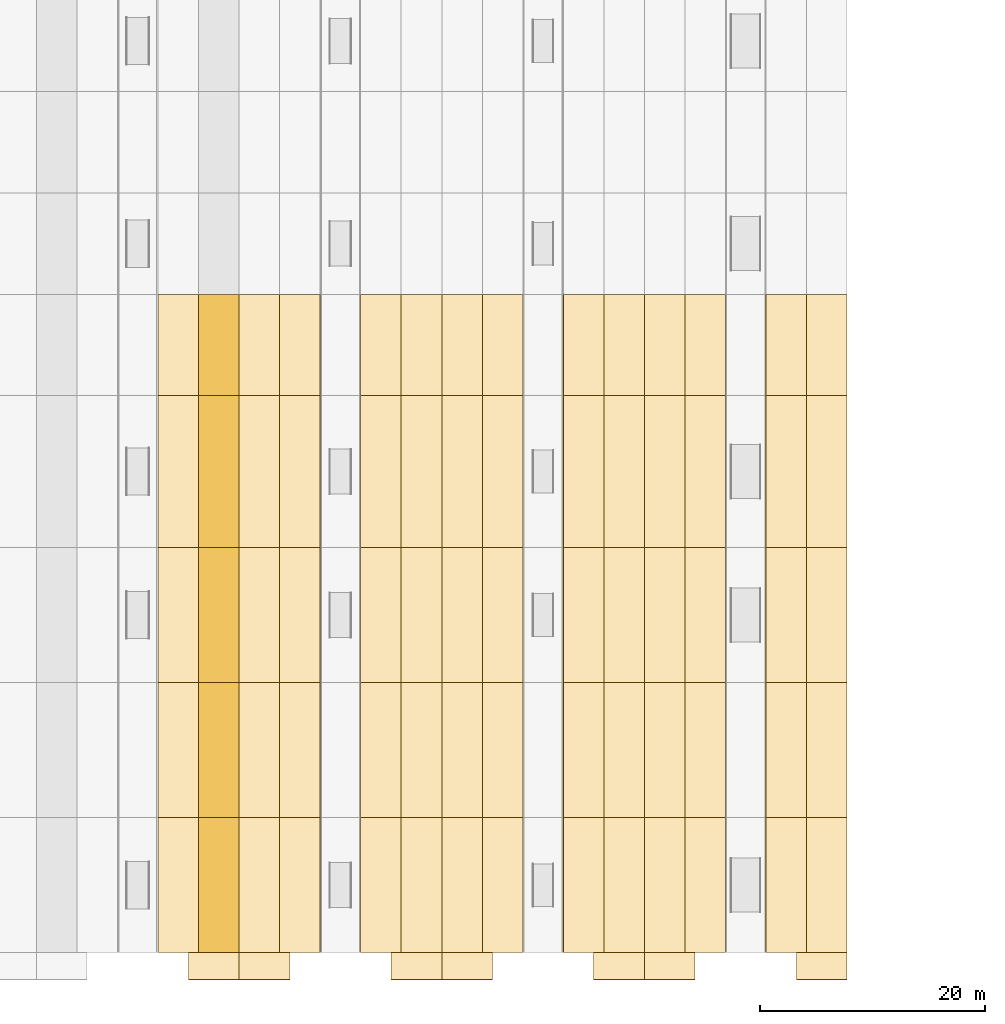
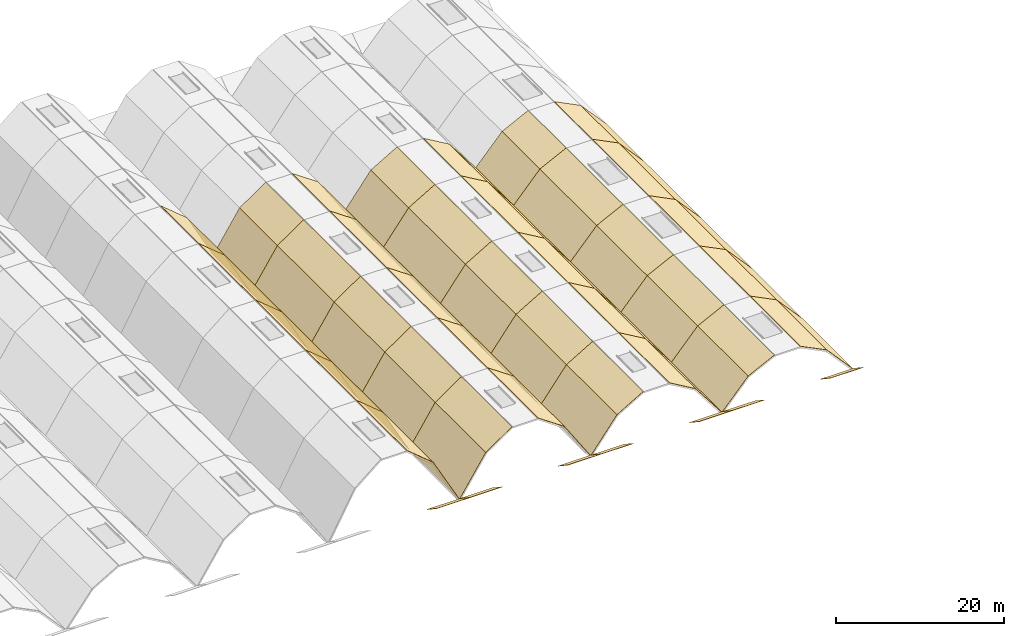
# One storey, part 9 of 11: 77 coverings.
"""IFC4 building model written with IfcOpenShell, lengths in metres."""

from ifc_helpers import new_model, si_unit, direction, frame, origin, place, context, subcontext, project, spatial, polyline, outline, extrude, material, layer, layer_set, type_object, element, save


model = new_model("IFC4")

# Units and contexts
model_context = context("Model", 3, precision=1e-05, world=origin(), true_north=direction((0.0, 1.0)))
body_context = subcontext(model_context, "Body", "Model", "MODEL_VIEW")
ifc_project = project(units=[si_unit("LENGTHUNIT", "METRE"), si_unit("AREAUNIT", "SQUARE_METRE"), si_unit("VOLUMEUNIT", "CUBIC_METRE"), si_unit("PLANEANGLEUNIT", "RADIAN"), si_unit("MASSUNIT", "GRAM", prefix="KILO")], contexts=[model_context])

# Site, building, storey
site_placement = place(None, origin())
site = spatial("IfcSite", under=ifc_project, at=site_placement, CompositionType="ELEMENT")
building_placement = place(site_placement, origin())
building = spatial("IfcBuilding", under=site, at=building_placement, Name="Chuanluo Vaults Station", CompositionType="ELEMENT")
storey_placement = place(building_placement, frame((0.0, 0.0, 24.0)))
storey = spatial("IfcBuildingStorey", under=building, at=storey_placement, Name="RF", CompositionType="ELEMENT", Elevation=24.0)

# Coverings
ifc_material_1 = material(Name="Perforated anodised aluminium panel", Category="aluminium")
ifc_layer_1 = layer(ifc_material_1, 0.050048828125)
ifc_layer_set_1 = layer_set([ifc_layer_1], Name="Perforated anodised aluminium panel")
covering_type_1 = type_object("IfcCoveringType", Name="COV-CLAD-PERF", PredefinedType="CLADDING", material=ifc_layer_set_1)
for number, where, z_axis, x_axis, name in (
    (1, (67.5, 18.0, -9.699951171875), (0.0, 0.554680662541, 0.832063316463), (1.0, 0.0, 0.0), "Vault V4 upturned eave cusp soffit S-E"),
    (2, (72.0, 18.0, -9.699951171875), (0.0, 0.554680662541, 0.832063316463), (1.0, 0.0, 0.0), "Vault V5 upturned eave cusp soffit S-W"),
    (3, (85.5, 18.0, -9.699951171875), (0.0, 0.554680662541, 0.832063316463), (1.0, 0.0, 0.0), "Vault V5 upturned eave cusp soffit S-E"),
    (4, (90.0, 18.0, -9.699951171875), (0.0, 0.554680662541, 0.832063316463), (1.0, 0.0, 0.0), "Vault V6 upturned eave cusp soffit S-W"),
    (5, (103.5, 18.0, -9.699951171875), (0.0, 0.554680662541, 0.832063316463), (1.0, 0.0, 0.0), "Vault V6 upturned eave cusp soffit S-E"),
    (6, (108.0, 18.0, -9.699951171875), (0.0, 0.554680662541, 0.832063316463), (1.0, 0.0, 0.0), "Vault V7 upturned eave cusp soffit S-W"),
    (7, (121.5, 18.0, -9.699951171875), (0.0, 0.554680662541, 0.832063316463), (1.0, 0.0, 0.0), "Vault V7 upturned eave cusp soffit S-E"),
):
    element("IfcCovering", number, at=place(storey_placement, frame(where, z_axis=z_axis, x_axis=x_axis)), inside=storey, type_object=covering_type_1, Name=name, PredefinedType="CLADDING", context=body_context, shape_type="SweptSolid", body=[
        extrude(outline(polyline([(0.0, 0.0), (4.5, 0.0), (4.5, -2.8842785113429), (0.0, -2.8842785113429), (0.0, 0.0)])), origin(), (0.0, 0.0, -1.0), 0.050048828125),
    ])
ifc_material_2 = material(Name="TPO waterproof roofing membrane")
ifc_layer_2 = layer(ifc_material_2, 0.044921875)
ifc_layer_set_2 = layer_set([ifc_layer_2], Name="TPO waterproof roofing membrane")
covering_type_2 = type_object("IfcCoveringType", Name="COV-ROOF-TPO", PredefinedType="ROOFING", material=ifc_layer_set_2)
covering_1_placement = place(storey_placement, frame((64.800048828125, 18.0, -0.205078125), z_axis=(0.637140772977, 0.0, 0.770747452419), x_axis=(0.770747452419, 0.0, -0.637140772977)))
element("IfcCovering", 8, at=covering_1_placement, inside=storey, type_object=covering_type_2, Name="Vault V4 TPO roof membrane 1-R2", PredefinedType="ROOFING", context=body_context, shape_type="SweptSolid", body=[
    extrude(outline(polyline([(0.0, 0.0), (4.670600602474067, 0.0), (4.670600602474067, 12.0), (0.0, 12.0), (0.0, 0.0)])), origin(), (0.0, 0.0, -1.0), 0.044921875),
])
covering_2_placement = place(storey_placement, frame((68.39990234375, 18.0, -3.180908203125), z_axis=(0.878619783786, 0.0, 0.477522015764), x_axis=(0.477522015764, 0.0, -0.878619783786)))
element("IfcCovering", 9, at=covering_2_placement, inside=storey, type_object=covering_type_2, Name="Vault V4 TPO roof membrane 1-R1", PredefinedType="ROOFING", context=body_context, shape_type="SweptSolid", body=[
    extrude(outline(polyline([(0.0, 0.0), (7.539123930211392, 0.0), (7.539123930211392, 12.000000000000004), (0.0, 12.000000000000004), (0.0, 0.0)])), origin(), (0.0, 0.0, -1.0), 0.044921875),
])
covering_3_placement = place(storey_placement, frame((64.800048828125, 30.0, -0.205078125), z_axis=(0.637140772977, 0.0, 0.770747452419), x_axis=(0.770747452419, 0.0, -0.637140772977)))
element("IfcCovering", 10, at=covering_3_placement, inside=storey, type_object=covering_type_2, Name="Vault V4 TPO roof membrane 2-R2", PredefinedType="ROOFING", context=body_context, shape_type="SweptSolid", body=[
    extrude(outline(polyline([(0.0, 0.0), (4.670600602474067, 0.0), (4.670600602474067, 12.0), (0.0, 12.0), (0.0, 0.0)])), origin(), (0.0, 0.0, -1.0), 0.044921875),
])
covering_4_placement = place(storey_placement, frame((68.39990234375, 30.0, -3.180908203125), z_axis=(0.878619783786, 0.0, 0.477522015764), x_axis=(0.477522015764, 0.0, -0.878619783786)))
element("IfcCovering", 11, at=covering_4_placement, inside=storey, type_object=covering_type_2, Name="Vault V4 TPO roof membrane 2-R1", PredefinedType="ROOFING", context=body_context, shape_type="SweptSolid", body=[
    extrude(outline(polyline([(0.0, 0.0), (7.539123930211392, 0.0), (7.539123930211392, 12.000000000000004), (0.0, 12.000000000000004), (0.0, 0.0)])), origin(), (0.0, 0.0, -1.0), 0.044921875),
])
covering_5_placement = place(storey_placement, frame((64.800048828125, 42.0, -0.205078125), z_axis=(0.637140772977, 0.0, 0.770747452419), x_axis=(0.770747452419, 0.0, -0.637140772977)))
element("IfcCovering", 12, at=covering_5_placement, inside=storey, type_object=covering_type_2, Name="Vault V4 TPO roof membrane 3-R2", PredefinedType="ROOFING", context=body_context, shape_type="SweptSolid", body=[
    extrude(outline(polyline([(0.0, 0.0), (4.670600602474067, 0.0), (4.670600602474067, 12.0), (0.0, 12.0), (0.0, 0.0)])), origin(), (0.0, 0.0, -1.0), 0.044921875),
])
covering_6_placement = place(storey_placement, frame((68.39990234375, 42.0, -3.180908203125), z_axis=(0.878619783786, 0.0, 0.477522015764), x_axis=(0.477522015764, 0.0, -0.878619783786)))
element("IfcCovering", 13, at=covering_6_placement, inside=storey, type_object=covering_type_2, Name="Vault V4 TPO roof membrane 3-R1", PredefinedType="ROOFING", context=body_context, shape_type="SweptSolid", body=[
    extrude(outline(polyline([(0.0, 0.0), (7.539123930211392, 0.0), (7.539123930211392, 12.000000000000004), (0.0, 12.000000000000004), (0.0, 0.0)])), origin(), (0.0, 0.0, -1.0), 0.044921875),
])
covering_7_placement = place(storey_placement, frame((64.800048828125, 54.0, -0.205078125), z_axis=(0.637140772977, 0.0, 0.770747452419), x_axis=(0.770747452419, 0.0, -0.637140772977)))
element("IfcCovering", 14, at=covering_7_placement, inside=storey, type_object=covering_type_2, Name="Vault V4 TPO roof membrane 4-R2", PredefinedType="ROOFING", context=body_context, shape_type="SweptSolid", body=[
    extrude(outline(polyline([(0.0, 0.0), (4.670600602474067, 0.0), (4.670600602474067, 13.5), (0.0, 13.5), (0.0, 0.0)])), origin(), (0.0, 0.0, -1.0), 0.044921875),
])
covering_8_placement = place(storey_placement, frame((68.39990234375, 54.0, -3.180908203125), z_axis=(0.878619783786, 0.0, 0.477522015764), x_axis=(0.477522015764, 0.0, -0.878619783786)))
element("IfcCovering", 15, at=covering_8_placement, inside=storey, type_object=covering_type_2, Name="Vault V4 TPO roof membrane 4-R1", PredefinedType="ROOFING", context=body_context, shape_type="SweptSolid", body=[
    extrude(outline(polyline([(0.0, 0.0), (7.539123930211392, 0.0), (7.539123930211392, 13.5), (0.0, 13.5), (0.0, 0.0)])), origin(), (0.0, 0.0, -1.0), 0.044921875),
])
covering_9_placement = place(storey_placement, frame((64.800048828125, 67.5, -0.205078125), z_axis=(0.637140772977, 0.0, 0.770747452419), x_axis=(0.770747452419, 0.0, -0.637140772977)))
element("IfcCovering", 16, at=covering_9_placement, inside=storey, type_object=covering_type_2, Name="Vault V4 TPO roof membrane 5-R2", PredefinedType="ROOFING", context=body_context, shape_type="SweptSolid", body=[
    extrude(outline(polyline([(0.0, 0.0), (4.670600602474067, 0.0), (4.670600602474067, 9.0), (0.0, 9.0), (0.0, 0.0)])), origin(), (0.0, 0.0, -1.0), 0.044921875),
])
covering_10_placement = place(storey_placement, frame((68.39990234375, 67.5, -3.180908203125), z_axis=(0.878619783786, 0.0, 0.477522015764), x_axis=(0.477522015764, 0.0, -0.878619783786)))
element("IfcCovering", 17, at=covering_10_placement, inside=storey, type_object=covering_type_2, Name="Vault V4 TPO roof membrane 5-R1", PredefinedType="ROOFING", context=body_context, shape_type="SweptSolid", body=[
    extrude(outline(polyline([(0.0, 0.0), (7.539123930211392, 0.0), (7.539123930211392, 9.0), (0.0, 9.0), (0.0, 0.0)])), origin(), (0.0, 0.0, -1.0), 0.044921875),
])
covering_11_placement = place(storey_placement, frame((72.0, 18.0, -9.804931640625), z_axis=(-0.837604700912, 0.0, 0.54627682086), x_axis=(0.54627682086, 0.0, 0.837604700912)))
element("IfcCovering", 18, at=covering_11_placement, inside=storey, type_object=covering_type_2, Name="Vault V5 TPO roof membrane 1-L1", PredefinedType="ROOFING", context=body_context, shape_type="SweptSolid", body=[
    extrude(outline(polyline([(0.0, 0.0), (6.590244210946831, 0.0), (6.590244210946831, 12.0), (0.0, 12.0), (0.0, 0.0)])), origin(), (0.0, 0.0, -1.0), 0.044921875),
])
for number, where, z_axis, x_axis, name in (
    (19, (75.60009765625, 18.0, -4.284912109375), (-0.567317861209, 0.0, 0.823498903675), (0.823498903675, 0.0, 0.567317861209), "Vault V5 TPO roof membrane 1-L2"),
    (20, (82.800048828125, 18.0, -1.804931640625), (0.567317861209, 0.0, 0.823498903675), (0.823498903675, 0.0, -0.567317861209), "Vault V5 TPO roof membrane 1-R2"),
):
    element("IfcCovering", number, at=place(storey_placement, frame(where, z_axis=z_axis, x_axis=x_axis)), inside=storey, type_object=covering_type_2, Name=name, PredefinedType="ROOFING", context=body_context, shape_type="SweptSolid", body=[
        extrude(outline(polyline([(0.0, 0.0), (4.371412638877636, 0.0), (4.371412638877636, 12.0), (0.0, 12.0), (0.0, 0.0)])), origin(), (0.0, 0.0, -1.0), 0.044921875),
    ])
for number, where, z_axis, x_axis, name in (
    (21, (86.39990234375, 18.0, -4.284912109375), (0.837604700912, 0.0, 0.54627682086), (0.54627682086, 0.0, -0.837604700912), "Vault V5 TPO roof membrane 1-R1"),
    (22, (72.0, 30.0, -9.804931640625), (-0.837604700912, 0.0, 0.54627682086), (0.54627682086, 0.0, 0.837604700912), "Vault V5 TPO roof membrane 2-L1"),
):
    element("IfcCovering", number, at=place(storey_placement, frame(where, z_axis=z_axis, x_axis=x_axis)), inside=storey, type_object=covering_type_2, Name=name, PredefinedType="ROOFING", context=body_context, shape_type="SweptSolid", body=[
        extrude(outline(polyline([(0.0, 0.0), (6.590244210946831, 0.0), (6.590244210946831, 12.0), (0.0, 12.0), (0.0, 0.0)])), origin(), (0.0, 0.0, -1.0), 0.044921875),
    ])
for number, where, z_axis, x_axis, name in (
    (23, (75.60009765625, 30.0, -4.284912109375), (-0.567317861209, 0.0, 0.823498903675), (0.823498903675, 0.0, 0.567317861209), "Vault V5 TPO roof membrane 2-L2"),
    (24, (82.800048828125, 30.0, -1.804931640625), (0.567317861209, 0.0, 0.823498903675), (0.823498903675, 0.0, -0.567317861209), "Vault V5 TPO roof membrane 2-R2"),
):
    element("IfcCovering", number, at=place(storey_placement, frame(where, z_axis=z_axis, x_axis=x_axis)), inside=storey, type_object=covering_type_2, Name=name, PredefinedType="ROOFING", context=body_context, shape_type="SweptSolid", body=[
        extrude(outline(polyline([(0.0, 0.0), (4.371412638877636, 0.0), (4.371412638877636, 12.0), (0.0, 12.0), (0.0, 0.0)])), origin(), (0.0, 0.0, -1.0), 0.044921875),
    ])
for number, where, z_axis, x_axis, name in (
    (25, (86.39990234375, 30.0, -4.284912109375), (0.837604700912, 0.0, 0.54627682086), (0.54627682086, 0.0, -0.837604700912), "Vault V5 TPO roof membrane 2-R1"),
    (26, (72.0, 42.0, -9.804931640625), (-0.837604700912, 0.0, 0.54627682086), (0.54627682086, 0.0, 0.837604700912), "Vault V5 TPO roof membrane 3-L1"),
):
    element("IfcCovering", number, at=place(storey_placement, frame(where, z_axis=z_axis, x_axis=x_axis)), inside=storey, type_object=covering_type_2, Name=name, PredefinedType="ROOFING", context=body_context, shape_type="SweptSolid", body=[
        extrude(outline(polyline([(0.0, 0.0), (6.590244210946831, 0.0), (6.590244210946831, 12.0), (0.0, 12.0), (0.0, 0.0)])), origin(), (0.0, 0.0, -1.0), 0.044921875),
    ])
for number, where, z_axis, x_axis, name in (
    (27, (75.60009765625, 42.0, -4.284912109375), (-0.567317861209, 0.0, 0.823498903675), (0.823498903675, 0.0, 0.567317861209), "Vault V5 TPO roof membrane 3-L2"),
    (28, (82.800048828125, 42.0, -1.804931640625), (0.567317861209, 0.0, 0.823498903675), (0.823498903675, 0.0, -0.567317861209), "Vault V5 TPO roof membrane 3-R2"),
):
    element("IfcCovering", number, at=place(storey_placement, frame(where, z_axis=z_axis, x_axis=x_axis)), inside=storey, type_object=covering_type_2, Name=name, PredefinedType="ROOFING", context=body_context, shape_type="SweptSolid", body=[
        extrude(outline(polyline([(0.0, 0.0), (4.371412638877636, 0.0), (4.371412638877636, 12.0), (0.0, 12.0), (0.0, 0.0)])), origin(), (0.0, 0.0, -1.0), 0.044921875),
    ])
covering_12_placement = place(storey_placement, frame((86.39990234375, 42.0, -4.284912109375), z_axis=(0.837604700912, 0.0, 0.54627682086), x_axis=(0.54627682086, 0.0, -0.837604700912)))
element("IfcCovering", 29, at=covering_12_placement, inside=storey, type_object=covering_type_2, Name="Vault V5 TPO roof membrane 3-R1", PredefinedType="ROOFING", context=body_context, shape_type="SweptSolid", body=[
    extrude(outline(polyline([(0.0, 0.0), (6.590244210946831, 0.0), (6.590244210946831, 12.0), (0.0, 12.0), (0.0, 0.0)])), origin(), (0.0, 0.0, -1.0), 0.044921875),
])
covering_13_placement = place(storey_placement, frame((72.0, 54.0, -9.804931640625), z_axis=(-0.837604700912, 0.0, 0.54627682086), x_axis=(0.54627682086, 0.0, 0.837604700912)))
element("IfcCovering", 30, at=covering_13_placement, inside=storey, type_object=covering_type_2, Name="Vault V5 TPO roof membrane 4-L1", PredefinedType="ROOFING", context=body_context, shape_type="SweptSolid", body=[
    extrude(outline(polyline([(0.0, 0.0), (6.590244210946831, 0.0), (6.590244210946831, 13.5), (0.0, 13.5), (0.0, 0.0)])), origin(), (0.0, 0.0, -1.0), 0.044921875),
])
for number, where, z_axis, x_axis, name in (
    (31, (75.60009765625, 54.0, -4.284912109375), (-0.567317861209, 0.0, 0.823498903675), (0.823498903675, 0.0, 0.567317861209), "Vault V5 TPO roof membrane 4-L2"),
    (32, (82.800048828125, 54.0, -1.804931640625), (0.567317861209, 0.0, 0.823498903675), (0.823498903675, 0.0, -0.567317861209), "Vault V5 TPO roof membrane 4-R2"),
):
    element("IfcCovering", number, at=place(storey_placement, frame(where, z_axis=z_axis, x_axis=x_axis)), inside=storey, type_object=covering_type_2, Name=name, PredefinedType="ROOFING", context=body_context, shape_type="SweptSolid", body=[
        extrude(outline(polyline([(0.0, 0.0), (4.371412638877636, 0.0), (4.371412638877636, 13.5), (0.0, 13.5), (0.0, 0.0)])), origin(), (0.0, 0.0, -1.0), 0.044921875),
    ])
covering_14_placement = place(storey_placement, frame((86.39990234375, 54.0, -4.284912109375), z_axis=(0.837604700912, 0.0, 0.54627682086), x_axis=(0.54627682086, 0.0, -0.837604700912)))
element("IfcCovering", 33, at=covering_14_placement, inside=storey, type_object=covering_type_2, Name="Vault V5 TPO roof membrane 4-R1", PredefinedType="ROOFING", context=body_context, shape_type="SweptSolid", body=[
    extrude(outline(polyline([(0.0, 0.0), (6.590244210946831, 0.0), (6.590244210946831, 13.5), (0.0, 13.5), (0.0, 0.0)])), origin(), (0.0, 0.0, -1.0), 0.044921875),
])
covering_15_placement = place(storey_placement, frame((72.0, 67.5, -9.804931640625), z_axis=(-0.837604700912, 0.0, 0.54627682086), x_axis=(0.54627682086, 0.0, 0.837604700912)))
element("IfcCovering", 34, at=covering_15_placement, inside=storey, type_object=covering_type_2, Name="Vault V5 TPO roof membrane 5-L1", PredefinedType="ROOFING", context=body_context, shape_type="SweptSolid", body=[
    extrude(outline(polyline([(0.0, 0.0), (6.590244210946831, 0.0), (6.590244210946831, 9.0), (0.0, 9.0), (0.0, 0.0)])), origin(), (0.0, 0.0, -1.0), 0.044921875),
])
for number, where, z_axis, x_axis, name in (
    (35, (75.60009765625, 67.5, -4.284912109375), (-0.567317861209, 0.0, 0.823498903675), (0.823498903675, 0.0, 0.567317861209), "Vault V5 TPO roof membrane 5-L2"),
    (36, (82.800048828125, 67.5, -1.804931640625), (0.567317861209, 0.0, 0.823498903675), (0.823498903675, 0.0, -0.567317861209), "Vault V5 TPO roof membrane 5-R2"),
):
    element("IfcCovering", number, at=place(storey_placement, frame(where, z_axis=z_axis, x_axis=x_axis)), inside=storey, type_object=covering_type_2, Name=name, PredefinedType="ROOFING", context=body_context, shape_type="SweptSolid", body=[
        extrude(outline(polyline([(0.0, 0.0), (4.371412638877636, 0.0), (4.371412638877636, 9.0), (0.0, 9.0), (0.0, 0.0)])), origin(), (0.0, 0.0, -1.0), 0.044921875),
    ])
covering_16_placement = place(storey_placement, frame((86.39990234375, 67.5, -4.284912109375), z_axis=(0.837604700912, 0.0, 0.54627682086), x_axis=(0.54627682086, 0.0, -0.837604700912)))
element("IfcCovering", 37, at=covering_16_placement, inside=storey, type_object=covering_type_2, Name="Vault V5 TPO roof membrane 5-R1", PredefinedType="ROOFING", context=body_context, shape_type="SweptSolid", body=[
    extrude(outline(polyline([(0.0, 0.0), (6.590244210946831, 0.0), (6.590244210946831, 9.0), (0.0, 9.0), (0.0, 0.0)])), origin(), (0.0, 0.0, -1.0), 0.044921875),
])
covering_17_placement = place(storey_placement, frame((90.0, 18.0, -9.804931640625), z_axis=(-0.793363110815, 0.0, 0.608748695602), x_axis=(0.608748695602, 0.0, 0.793363110815)))
element("IfcCovering", 38, at=covering_17_placement, inside=storey, type_object=covering_type_2, Name="Vault V6 TPO roof membrane 1-L1", PredefinedType="ROOFING", context=body_context, shape_type="SweptSolid", body=[
    extrude(outline(polyline([(0.0, 0.0), (5.913930793212785, 0.0), (5.913930793212785, 12.0), (0.0, 12.0), (0.0, 0.0)])), origin(), (0.0, 0.0, -1.0), 0.044921875),
])
for number, where, z_axis, x_axis, name in (
    (39, (93.60009765625, 18.0, -5.113037109375), (-0.505343973972, 0.0, 0.862917996087), (0.862917996087, 0.0, 0.505343973972), "Vault V6 TPO roof membrane 1-L2"),
    (40, (100.800048828125, 18.0, -3.0048828125), (0.505343973972, 0.0, 0.862917996087), (0.862917996087, 0.0, -0.505343973972), "Vault V6 TPO roof membrane 1-R2"),
):
    element("IfcCovering", number, at=place(storey_placement, frame(where, z_axis=z_axis, x_axis=x_axis)), inside=storey, type_object=covering_type_2, Name=name, PredefinedType="ROOFING", context=body_context, shape_type="SweptSolid", body=[
        extrude(outline(polyline([(0.0, 0.0), (4.1717214520375405, 0.0), (4.1717214520375405, 12.0), (0.0, 12.0), (0.0, 0.0)])), origin(), (0.0, 0.0, -1.0), 0.044921875),
    ])
for number, where, z_axis, x_axis, name in (
    (41, (104.39990234375, 18.0, -5.113037109375), (0.793363110815, 0.0, 0.608748695602), (0.608748695602, 0.0, -0.793363110815), "Vault V6 TPO roof membrane 1-R1"),
    (42, (90.0, 30.0, -9.804931640625), (-0.793363110815, 0.0, 0.608748695602), (0.608748695602, 0.0, 0.793363110815), "Vault V6 TPO roof membrane 2-L1"),
):
    element("IfcCovering", number, at=place(storey_placement, frame(where, z_axis=z_axis, x_axis=x_axis)), inside=storey, type_object=covering_type_2, Name=name, PredefinedType="ROOFING", context=body_context, shape_type="SweptSolid", body=[
        extrude(outline(polyline([(0.0, 0.0), (5.913930793212785, 0.0), (5.913930793212785, 12.0), (0.0, 12.0), (0.0, 0.0)])), origin(), (0.0, 0.0, -1.0), 0.044921875),
    ])
for number, where, z_axis, x_axis, name in (
    (43, (93.60009765625, 30.0, -5.113037109375), (-0.505343973972, 0.0, 0.862917996087), (0.862917996087, 0.0, 0.505343973972), "Vault V6 TPO roof membrane 2-L2"),
    (44, (100.800048828125, 30.0, -3.0048828125), (0.505343973972, 0.0, 0.862917996087), (0.862917996087, 0.0, -0.505343973972), "Vault V6 TPO roof membrane 2-R2"),
):
    element("IfcCovering", number, at=place(storey_placement, frame(where, z_axis=z_axis, x_axis=x_axis)), inside=storey, type_object=covering_type_2, Name=name, PredefinedType="ROOFING", context=body_context, shape_type="SweptSolid", body=[
        extrude(outline(polyline([(0.0, 0.0), (4.1717214520375405, 0.0), (4.1717214520375405, 12.0), (0.0, 12.0), (0.0, 0.0)])), origin(), (0.0, 0.0, -1.0), 0.044921875),
    ])
for number, where, z_axis, x_axis, name in (
    (45, (104.39990234375, 30.0, -5.113037109375), (0.793363110815, 0.0, 0.608748695602), (0.608748695602, 0.0, -0.793363110815), "Vault V6 TPO roof membrane 2-R1"),
    (46, (90.0, 42.0, -9.804931640625), (-0.793363110815, 0.0, 0.608748695602), (0.608748695602, 0.0, 0.793363110815), "Vault V6 TPO roof membrane 3-L1"),
):
    element("IfcCovering", number, at=place(storey_placement, frame(where, z_axis=z_axis, x_axis=x_axis)), inside=storey, type_object=covering_type_2, Name=name, PredefinedType="ROOFING", context=body_context, shape_type="SweptSolid", body=[
        extrude(outline(polyline([(0.0, 0.0), (5.913930793212785, 0.0), (5.913930793212785, 12.0), (0.0, 12.0), (0.0, 0.0)])), origin(), (0.0, 0.0, -1.0), 0.044921875),
    ])
for number, where, z_axis, x_axis, name in (
    (47, (93.60009765625, 42.0, -5.113037109375), (-0.505343973972, 0.0, 0.862917996087), (0.862917996087, 0.0, 0.505343973972), "Vault V6 TPO roof membrane 3-L2"),
    (48, (100.800048828125, 42.0, -3.0048828125), (0.505343973972, 0.0, 0.862917996087), (0.862917996087, 0.0, -0.505343973972), "Vault V6 TPO roof membrane 3-R2"),
):
    element("IfcCovering", number, at=place(storey_placement, frame(where, z_axis=z_axis, x_axis=x_axis)), inside=storey, type_object=covering_type_2, Name=name, PredefinedType="ROOFING", context=body_context, shape_type="SweptSolid", body=[
        extrude(outline(polyline([(0.0, 0.0), (4.1717214520375405, 0.0), (4.1717214520375405, 12.0), (0.0, 12.0), (0.0, 0.0)])), origin(), (0.0, 0.0, -1.0), 0.044921875),
    ])
covering_18_placement = place(storey_placement, frame((104.39990234375, 42.0, -5.113037109375), z_axis=(0.793363110815, 0.0, 0.608748695602), x_axis=(0.608748695602, 0.0, -0.793363110815)))
element("IfcCovering", 49, at=covering_18_placement, inside=storey, type_object=covering_type_2, Name="Vault V6 TPO roof membrane 3-R1", PredefinedType="ROOFING", context=body_context, shape_type="SweptSolid", body=[
    extrude(outline(polyline([(0.0, 0.0), (5.913930793212785, 0.0), (5.913930793212785, 12.0), (0.0, 12.0), (0.0, 0.0)])), origin(), (0.0, 0.0, -1.0), 0.044921875),
])
covering_19_placement = place(storey_placement, frame((90.0, 54.0, -9.804931640625), z_axis=(-0.793363110815, 0.0, 0.608748695602), x_axis=(0.608748695602, 0.0, 0.793363110815)))
element("IfcCovering", 50, at=covering_19_placement, inside=storey, type_object=covering_type_2, Name="Vault V6 TPO roof membrane 4-L1", PredefinedType="ROOFING", context=body_context, shape_type="SweptSolid", body=[
    extrude(outline(polyline([(0.0, 0.0), (5.913930793212785, 0.0), (5.913930793212785, 13.5), (0.0, 13.5), (0.0, 0.0)])), origin(), (0.0, 0.0, -1.0), 0.044921875),
])
for number, where, z_axis, x_axis, name in (
    (51, (93.60009765625, 54.0, -5.113037109375), (-0.505343973972, 0.0, 0.862917996087), (0.862917996087, 0.0, 0.505343973972), "Vault V6 TPO roof membrane 4-L2"),
    (52, (100.800048828125, 54.0, -3.0048828125), (0.505343973972, 0.0, 0.862917996087), (0.862917996087, 0.0, -0.505343973972), "Vault V6 TPO roof membrane 4-R2"),
):
    element("IfcCovering", number, at=place(storey_placement, frame(where, z_axis=z_axis, x_axis=x_axis)), inside=storey, type_object=covering_type_2, Name=name, PredefinedType="ROOFING", context=body_context, shape_type="SweptSolid", body=[
        extrude(outline(polyline([(0.0, 0.0), (4.1717214520375405, 0.0), (4.1717214520375405, 13.5), (0.0, 13.5), (0.0, 0.0)])), origin(), (0.0, 0.0, -1.0), 0.044921875),
    ])
covering_20_placement = place(storey_placement, frame((104.39990234375, 54.0, -5.113037109375), z_axis=(0.793363110815, 0.0, 0.608748695602), x_axis=(0.608748695602, 0.0, -0.793363110815)))
element("IfcCovering", 53, at=covering_20_placement, inside=storey, type_object=covering_type_2, Name="Vault V6 TPO roof membrane 4-R1", PredefinedType="ROOFING", context=body_context, shape_type="SweptSolid", body=[
    extrude(outline(polyline([(0.0, 0.0), (5.913930793212785, 0.0), (5.913930793212785, 13.5), (0.0, 13.5), (0.0, 0.0)])), origin(), (0.0, 0.0, -1.0), 0.044921875),
])
covering_21_placement = place(storey_placement, frame((90.0, 67.5, -9.804931640625), z_axis=(-0.793363110815, 0.0, 0.608748695602), x_axis=(0.608748695602, 0.0, 0.793363110815)))
element("IfcCovering", 54, at=covering_21_placement, inside=storey, type_object=covering_type_2, Name="Vault V6 TPO roof membrane 5-L1", PredefinedType="ROOFING", context=body_context, shape_type="SweptSolid", body=[
    extrude(outline(polyline([(0.0, 0.0), (5.913930793212785, 0.0), (5.913930793212785, 9.0), (0.0, 9.0), (0.0, 0.0)])), origin(), (0.0, 0.0, -1.0), 0.044921875),
])
for number, where, z_axis, x_axis, name in (
    (55, (93.60009765625, 67.5, -5.113037109375), (-0.505343973972, 0.0, 0.862917996087), (0.862917996087, 0.0, 0.505343973972), "Vault V6 TPO roof membrane 5-L2"),
    (56, (100.800048828125, 67.5, -3.0048828125), (0.505343973972, 0.0, 0.862917996087), (0.862917996087, 0.0, -0.505343973972), "Vault V6 TPO roof membrane 5-R2"),
):
    element("IfcCovering", number, at=place(storey_placement, frame(where, z_axis=z_axis, x_axis=x_axis)), inside=storey, type_object=covering_type_2, Name=name, PredefinedType="ROOFING", context=body_context, shape_type="SweptSolid", body=[
        extrude(outline(polyline([(0.0, 0.0), (4.1717214520375405, 0.0), (4.1717214520375405, 9.000000000000002), (0.0, 9.000000000000002), (0.0, 0.0)])), origin(), (0.0, 0.0, -1.0), 0.044921875),
    ])
covering_22_placement = place(storey_placement, frame((104.39990234375, 67.5, -5.113037109375), z_axis=(0.793363110815, 0.0, 0.608748695602), x_axis=(0.608748695602, 0.0, -0.793363110815)))
element("IfcCovering", 57, at=covering_22_placement, inside=storey, type_object=covering_type_2, Name="Vault V6 TPO roof membrane 5-R1", PredefinedType="ROOFING", context=body_context, shape_type="SweptSolid", body=[
    extrude(outline(polyline([(0.0, 0.0), (5.913930793212785, 0.0), (5.913930793212785, 9.0), (0.0, 9.0), (0.0, 0.0)])), origin(), (0.0, 0.0, -1.0), 0.044921875),
])
covering_23_placement = place(storey_placement, frame((108.0, 18.0, -9.804931640625), z_axis=(-0.743447479335, 0.0, 0.668794322247), x_axis=(0.668794322247, 0.0, 0.743447479335)))
element("IfcCovering", 58, at=covering_23_placement, inside=storey, type_object=covering_type_2, Name="Vault V7 TPO roof membrane 1-L1", PredefinedType="ROOFING", context=body_context, shape_type="SweptSolid", body=[
    extrude(outline(polyline([(0.0, 0.0), (5.382966835234452, 0.0), (5.382966835234452, 12.0), (0.0, 12.0), (0.0, 0.0)])), origin(), (0.0, 0.0, -1.0), 0.044921875),
])
for number, where, z_axis, x_axis, name in (
    (59, (111.60009765625, 18.0, -5.802978515625), (-0.446849526259, 0.0, 0.89460913302), (0.89460913302, 0.0, 0.446849526259), "Vault V7 TPO roof membrane 1-L2"),
    (60, (118.800048828125, 18.0, -4.0048828125), (0.446849526259, 0.0, 0.89460913302), (0.89460913302, 0.0, -0.446849526259), "Vault V7 TPO roof membrane 1-R2"),
):
    element("IfcCovering", number, at=place(storey_placement, frame(where, z_axis=z_axis, x_axis=x_axis)), inside=storey, type_object=covering_type_2, Name=name, PredefinedType="ROOFING", context=body_context, shape_type="SweptSolid", body=[
        extrude(outline(polyline([(0.0, 0.0), (4.023940045720645, 0.0), (4.023940045720645, 12.000000000000004), (0.0, 12.000000000000004), (0.0, 0.0)])), origin(), (0.0, 0.0, -1.0), 0.044921875),
    ])
for number, where, z_axis, x_axis, name in (
    (61, (122.39990234375, 18.0, -5.802978515625), (0.743447479335, 0.0, 0.668794322247), (0.668794322247, 0.0, -0.743447479335), "Vault V7 TPO roof membrane 1-R1"),
    (62, (108.0, 30.0, -9.804931640625), (-0.743447479335, 0.0, 0.668794322247), (0.668794322247, 0.0, 0.743447479335), "Vault V7 TPO roof membrane 2-L1"),
):
    element("IfcCovering", number, at=place(storey_placement, frame(where, z_axis=z_axis, x_axis=x_axis)), inside=storey, type_object=covering_type_2, Name=name, PredefinedType="ROOFING", context=body_context, shape_type="SweptSolid", body=[
        extrude(outline(polyline([(0.0, 0.0), (5.382966835234452, 0.0), (5.382966835234452, 12.0), (0.0, 12.0), (0.0, 0.0)])), origin(), (0.0, 0.0, -1.0), 0.044921875),
    ])
for number, where, z_axis, x_axis, name in (
    (63, (111.60009765625, 30.0, -5.802978515625), (-0.446849526259, 0.0, 0.89460913302), (0.89460913302, 0.0, 0.446849526259), "Vault V7 TPO roof membrane 2-L2"),
    (64, (118.800048828125, 30.0, -4.0048828125), (0.446849526259, 0.0, 0.89460913302), (0.89460913302, 0.0, -0.446849526259), "Vault V7 TPO roof membrane 2-R2"),
):
    element("IfcCovering", number, at=place(storey_placement, frame(where, z_axis=z_axis, x_axis=x_axis)), inside=storey, type_object=covering_type_2, Name=name, PredefinedType="ROOFING", context=body_context, shape_type="SweptSolid", body=[
        extrude(outline(polyline([(0.0, 0.0), (4.023940045720645, 0.0), (4.023940045720645, 12.000000000000004), (0.0, 12.000000000000004), (0.0, 0.0)])), origin(), (0.0, 0.0, -1.0), 0.044921875),
    ])
for number, where, z_axis, x_axis, name in (
    (65, (122.39990234375, 30.0, -5.802978515625), (0.743447479335, 0.0, 0.668794322247), (0.668794322247, 0.0, -0.743447479335), "Vault V7 TPO roof membrane 2-R1"),
    (66, (108.0, 42.0, -9.804931640625), (-0.743447479335, 0.0, 0.668794322247), (0.668794322247, 0.0, 0.743447479335), "Vault V7 TPO roof membrane 3-L1"),
):
    element("IfcCovering", number, at=place(storey_placement, frame(where, z_axis=z_axis, x_axis=x_axis)), inside=storey, type_object=covering_type_2, Name=name, PredefinedType="ROOFING", context=body_context, shape_type="SweptSolid", body=[
        extrude(outline(polyline([(0.0, 0.0), (5.382966835234452, 0.0), (5.382966835234452, 12.0), (0.0, 12.0), (0.0, 0.0)])), origin(), (0.0, 0.0, -1.0), 0.044921875),
    ])
for number, where, z_axis, x_axis, name in (
    (67, (111.60009765625, 42.0, -5.802978515625), (-0.446849526259, 0.0, 0.89460913302), (0.89460913302, 0.0, 0.446849526259), "Vault V7 TPO roof membrane 3-L2"),
    (68, (118.800048828125, 42.0, -4.0048828125), (0.446849526259, 0.0, 0.89460913302), (0.89460913302, 0.0, -0.446849526259), "Vault V7 TPO roof membrane 3-R2"),
):
    element("IfcCovering", number, at=place(storey_placement, frame(where, z_axis=z_axis, x_axis=x_axis)), inside=storey, type_object=covering_type_2, Name=name, PredefinedType="ROOFING", context=body_context, shape_type="SweptSolid", body=[
        extrude(outline(polyline([(0.0, 0.0), (4.023940045720645, 0.0), (4.023940045720645, 12.000000000000004), (0.0, 12.000000000000004), (0.0, 0.0)])), origin(), (0.0, 0.0, -1.0), 0.044921875),
    ])
covering_24_placement = place(storey_placement, frame((122.39990234375, 42.0, -5.802978515625), z_axis=(0.743447479335, 0.0, 0.668794322247), x_axis=(0.668794322247, 0.0, -0.743447479335)))
element("IfcCovering", 69, at=covering_24_placement, inside=storey, type_object=covering_type_2, Name="Vault V7 TPO roof membrane 3-R1", PredefinedType="ROOFING", context=body_context, shape_type="SweptSolid", body=[
    extrude(outline(polyline([(0.0, 0.0), (5.382966835234452, 0.0), (5.382966835234452, 12.0), (0.0, 12.0), (0.0, 0.0)])), origin(), (0.0, 0.0, -1.0), 0.044921875),
])
covering_25_placement = place(storey_placement, frame((108.0, 54.0, -9.804931640625), z_axis=(-0.743447479335, 0.0, 0.668794322247), x_axis=(0.668794322247, 0.0, 0.743447479335)))
element("IfcCovering", 70, at=covering_25_placement, inside=storey, type_object=covering_type_2, Name="Vault V7 TPO roof membrane 4-L1", PredefinedType="ROOFING", context=body_context, shape_type="SweptSolid", body=[
    extrude(outline(polyline([(0.0, 0.0), (5.382966835234452, 0.0), (5.382966835234452, 13.5), (0.0, 13.5), (0.0, 0.0)])), origin(), (0.0, 0.0, -1.0), 0.044921875),
])
for number, where, z_axis, x_axis, name in (
    (71, (111.60009765625, 54.0, -5.802978515625), (-0.446849526259, 0.0, 0.89460913302), (0.89460913302, 0.0, 0.446849526259), "Vault V7 TPO roof membrane 4-L2"),
    (72, (118.800048828125, 54.0, -4.0048828125), (0.446849526259, 0.0, 0.89460913302), (0.89460913302, 0.0, -0.446849526259), "Vault V7 TPO roof membrane 4-R2"),
):
    element("IfcCovering", number, at=place(storey_placement, frame(where, z_axis=z_axis, x_axis=x_axis)), inside=storey, type_object=covering_type_2, Name=name, PredefinedType="ROOFING", context=body_context, shape_type="SweptSolid", body=[
        extrude(outline(polyline([(0.0, 0.0), (4.023940045720645, 0.0), (4.023940045720645, 13.500000000000004), (0.0, 13.500000000000004), (0.0, 0.0)])), origin(), (0.0, 0.0, -1.0), 0.044921875),
    ])
covering_26_placement = place(storey_placement, frame((122.39990234375, 54.0, -5.802978515625), z_axis=(0.743447479335, 0.0, 0.668794322247), x_axis=(0.668794322247, 0.0, -0.743447479335)))
element("IfcCovering", 73, at=covering_26_placement, inside=storey, type_object=covering_type_2, Name="Vault V7 TPO roof membrane 4-R1", PredefinedType="ROOFING", context=body_context, shape_type="SweptSolid", body=[
    extrude(outline(polyline([(0.0, 0.0), (5.382966835234452, 0.0), (5.382966835234452, 13.5), (0.0, 13.5), (0.0, 0.0)])), origin(), (0.0, 0.0, -1.0), 0.044921875),
])
covering_27_placement = place(storey_placement, frame((108.0, 67.5, -9.804931640625), z_axis=(-0.743447479335, 0.0, 0.668794322247), x_axis=(0.668794322247, 0.0, 0.743447479335)))
element("IfcCovering", 74, at=covering_27_placement, inside=storey, type_object=covering_type_2, Name="Vault V7 TPO roof membrane 5-L1", PredefinedType="ROOFING", context=body_context, shape_type="SweptSolid", body=[
    extrude(outline(polyline([(0.0, 0.0), (5.382966835234452, 0.0), (5.382966835234452, 9.000000000000002), (0.0, 9.000000000000002), (0.0, 0.0)])), origin(), (0.0, 0.0, -1.0), 0.044921875),
])
for number, where, z_axis, x_axis, name in (
    (75, (111.60009765625, 67.5, -5.802978515625), (-0.446849526259, 0.0, 0.89460913302), (0.89460913302, 0.0, 0.446849526259), "Vault V7 TPO roof membrane 5-L2"),
    (76, (118.800048828125, 67.5, -4.0048828125), (0.446849526259, 0.0, 0.89460913302), (0.89460913302, 0.0, -0.446849526259), "Vault V7 TPO roof membrane 5-R2"),
):
    element("IfcCovering", number, at=place(storey_placement, frame(where, z_axis=z_axis, x_axis=x_axis)), inside=storey, type_object=covering_type_2, Name=name, PredefinedType="ROOFING", context=body_context, shape_type="SweptSolid", body=[
        extrude(outline(polyline([(0.0, 0.0), (4.023940045720645, 0.0), (4.023940045720645, 9.0), (0.0, 9.0), (0.0, 0.0)])), origin(), (0.0, 0.0, -1.0), 0.044921875),
    ])
covering_28_placement = place(storey_placement, frame((122.39990234375, 67.5, -5.802978515625), z_axis=(0.743447479335, 0.0, 0.668794322247), x_axis=(0.668794322247, 0.0, -0.743447479335)))
element("IfcCovering", 77, at=covering_28_placement, inside=storey, type_object=covering_type_2, Name="Vault V7 TPO roof membrane 5-R1", PredefinedType="ROOFING", context=body_context, shape_type="SweptSolid", body=[
    extrude(outline(polyline([(0.0, 0.0), (5.382966835234452, 0.0), (5.382966835234452, 9.000000000000002), (0.0, 9.000000000000002), (0.0, 0.0)])), origin(), (0.0, 0.0, -1.0), 0.044921875),
])

save(model, "model.ifc")
